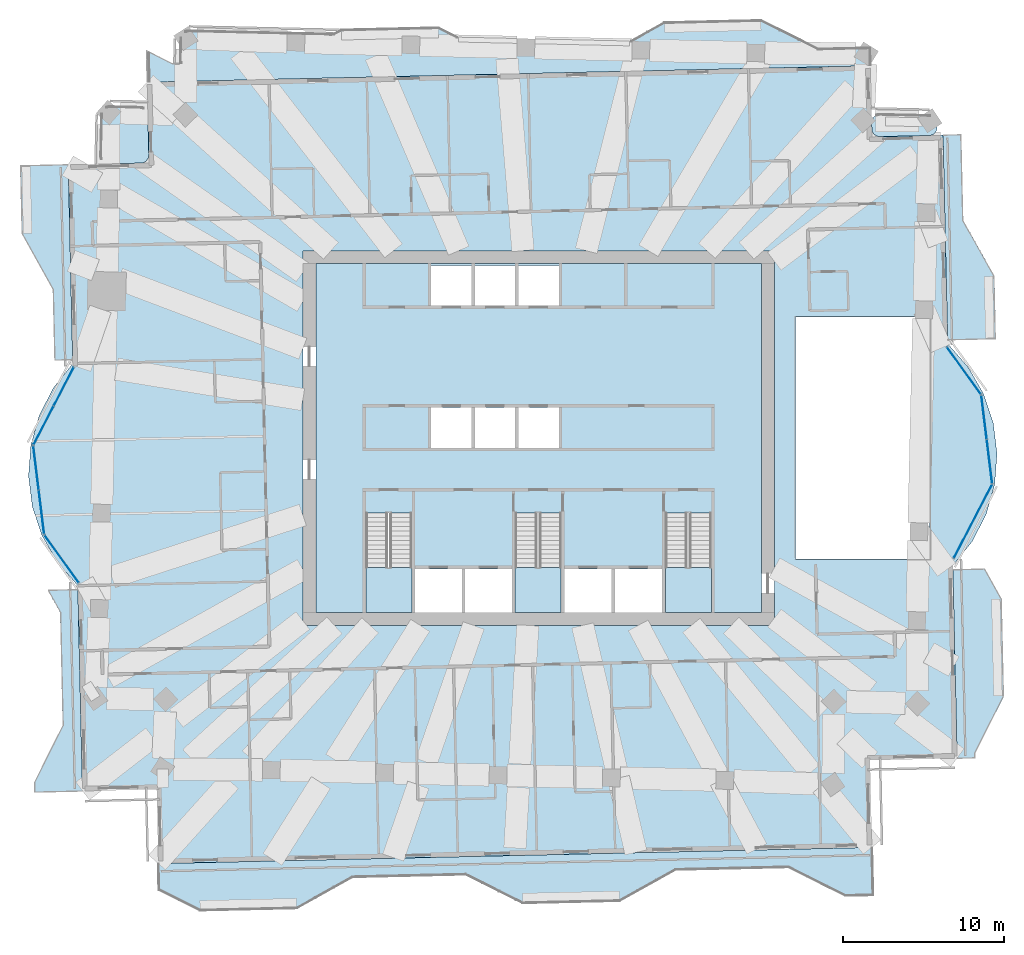
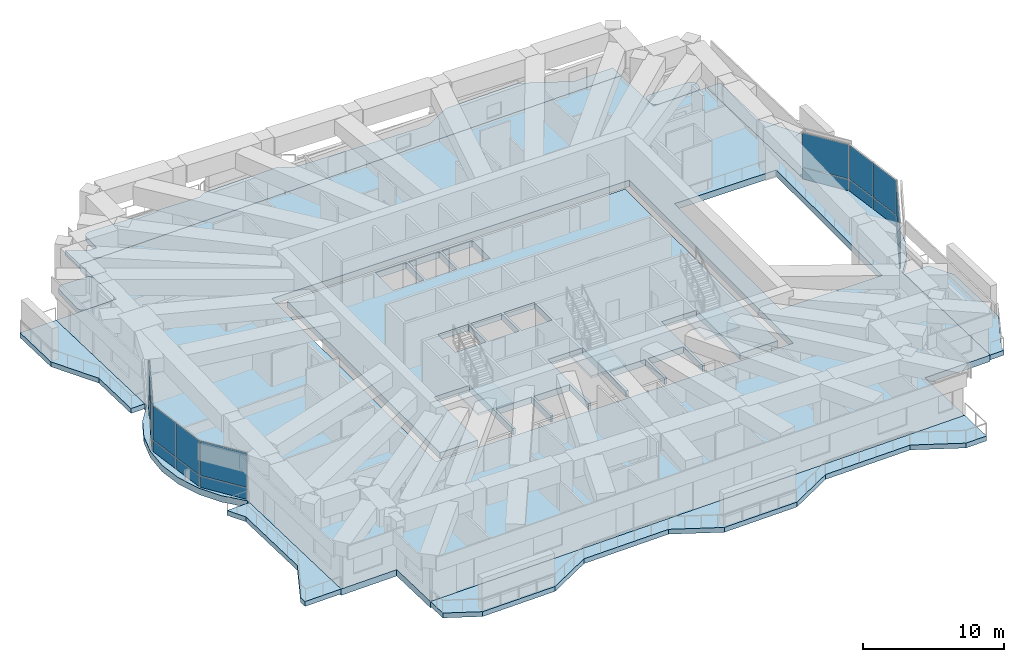
# One storey, part 8 of 19: 18 plates, 13 slabs, 9 elements without a shape of their own.
"""IFC4 building model written with IfcOpenShell, lengths in metres."""

from ifc_helpers import new_model, si_unit, direction, frame, origin, origin_2d, place, context, subcontext, project, spatial, polyline, rectangle, outline, extrude, material, layer, layer_set, type_object, element, aggregate, save


model = new_model("IFC4")

# Units and contexts
model_context = context("Model", 3, precision=1e-05, world=origin(), true_north=direction((0.0, 1.0)))
body_context = subcontext(model_context, "Body", "Model", "MODEL_VIEW")
ifc_project = project(units=[si_unit("LENGTHUNIT", "METRE"), si_unit("AREAUNIT", "SQUARE_METRE"), si_unit("VOLUMEUNIT", "CUBIC_METRE"), si_unit("PLANEANGLEUNIT", "RADIAN"), si_unit("MASSUNIT", "GRAM", prefix="KILO")], contexts=[model_context])

# Site, building, storey
site_placement = place(None, origin())
site = spatial("IfcSite", under=ifc_project, at=site_placement, CompositionType="ELEMENT")
building_placement = place(site_placement, origin())
building = spatial("IfcBuilding", under=site, at=building_placement, Name="Mangrove Gate Tower", CompositionType="ELEMENT")
storey_placement = place(building_placement, frame((0.0, 0.0, 226.5)))
storey = spatial("IfcBuildingStorey", under=building, at=storey_placement, Name="L57", CompositionType="ELEMENT", Elevation=226.5)

# Slabs
ifc_material_1 = material(Name="Porcelain tile")
ifc_layer_1 = layer(ifc_material_1, 0.02001953125, Name="Tile finish")
ifc_material_2 = material(Name="Cement sand screed")
ifc_layer_2 = layer(ifc_material_2, 0.0400390625, Name="Screed laid to falls")
ifc_material_3 = material(Name="Bituminous waterproofing membrane")
ifc_layer_3 = layer(ifc_material_3, 0.00390625, Name="Waterproofing")
ifc_material_4 = material(Name="Concrete C40/50", Category="concrete")
ifc_layer_4 = layer(ifc_material_4, 0.340087890625, Name="Balcony structural slab")
ifc_material_5 = material(Name="Limestone", Category="masonry")
ifc_layer_5 = layer(ifc_material_5, 0.01611328125, Name="Soffit lining")
ifc_layer_set_1 = layer_set([ifc_layer_1, ifc_layer_2, ifc_layer_3, ifc_layer_4, ifc_layer_5], Name="Balcony slab 420 C40/50")
slab_type_1 = type_object("IfcSlabType", Name="Balcony slab 420 C40/50", PredefinedType="FLOOR", material=ifc_layer_set_1)
slab_1_placement = place(storey_placement, frame((0.0, 0.0, -0.419921875)))
element("IfcSlab", 1, at=slab_1_placement, inside=storey, type_object=slab_type_1, Name="BALCONY L57 E0", PredefinedType="FLOOR", context=body_context, shape_type="SweptSolid", body=[
    extrude(outline(polyline([(27.06298828125, -19.803955078125), (27.055908203125, -19.50390625), (28.826904296875, -15.962890625), (28.68994140625, -9.965087890625), (27.656982421875, -8.113037109375), (25.658935546875, -8.158935546875), (25.700927734375, -10.032958984375), (25.8369140625, -16.031005859375), (25.9169921875, -19.530029296875), (25.924072265625, -19.830078125), (27.06298828125, -19.803955078125)])), origin(), (0.0, 0.0, 1.0), 0.419921875),
])
slab_2_placement = place(storey_placement, frame((0.0, 0.0, -0.419921875)))
element("IfcSlab", 2, at=slab_2_placement, inside=storey, type_object=slab_type_1, Name="BALCONY L57 E1", PredefinedType="FLOOR", context=body_context, shape_type="SweptSolid", body=[
    extrude(outline(polyline([(28.324951171875, 6.156005859375), (28.237060546875, 10.030029296875), (26.30810546875, 13.487060546875), (26.18798828125, 18.785888671875), (25.048095703125, 18.760009765625), (25.16796875, 13.4609375), (25.2470703125, 9.9619140625), (25.3349609375, 6.087890625), (28.324951171875, 6.156005859375)])), origin(), (0.0, 0.0, 1.0), 0.419921875),
])
slab_3_placement = place(storey_placement, frame((0.0, 0.0, -0.419921875)))
element("IfcSlab", 3, at=slab_3_placement, inside=storey, type_object=slab_type_1, Name="BALCONY L57 N0", PredefinedType="FLOOR", context=body_context, shape_type="SweptSolid", body=[
    extrude(outline(polyline([(-24.2470703125, 22.0419921875), (20.549072265625, 23.05908203125), (20.52294921875, 24.198974609375), (17.320068359375, 24.1259765625), (13.779052734375, 25.89599609375), (7.781005859375, 25.760009765625), (5.660888671875, 24.576904296875), (5.655029296875, 24.575927734375), (5.64990234375, 24.576904296875), (5.64599609375, 24.5810546875), (5.64404296875, 24.5859375), (5.64501953125, 24.592041015625), (-4.950927734375, 24.83203125), (-4.949951171875, 24.825927734375), (-4.951904296875, 24.821044921875), (-4.9560546875, 24.818115234375), (-4.9619140625, 24.81591796875), (-6.216064453125, 25.44189453125), (-12.214111328125, 25.305908203125), (-12.76904296875, 24.99609375), (-12.77587890625, 24.993896484375), (-12.781005859375, 24.99609375), (-12.784912109375, 24.9990234375), (-12.785888671875, 25.010009765625), (-21.64208984375, 25.2109375), (-21.69189453125, 25.208984375), (-21.739990234375, 25.202880859375), (-21.7880859375, 25.193115234375), (-21.8349609375, 25.177001953125), (-21.8798828125, 25.156982421875), (-21.922119140625, 25.133056640625), (-21.962890625, 25.10400390625), (-21.9990234375, 25.072998046875), (-22.032958984375, 25.037109375), (-22.06298828125, 24.998046875), (-22.089111328125, 24.95703125), (-22.111083984375, 24.9130859375), (-22.12890625, 24.866943359375), (-22.14208984375, 24.820068359375), (-22.14990234375, 24.77099609375), (-22.154052734375, 24.721923828125), (-22.18701171875, 23.2490234375), (-22.18505859375, 23.240966796875), (-22.18701171875, 23.235107421875), (-22.19091796875, 23.23193359375), (-22.672119140625, 23.220947265625), (-24.2919921875, 24.030029296875), (-24.2470703125, 22.0419921875)])), origin(), (0.0, 0.0, 1.0), 0.419921875),
])
slab_4_placement = place(storey_placement, frame((0.0, 0.0, -0.419921875)))
element("IfcSlab", 4, at=slab_4_placement, inside=storey, type_object=slab_type_1, Name="BALCONY L57 W0", PredefinedType="FLOOR", context=body_context, shape_type="SweptSolid", body=[
    extrude(outline(polyline([(-32.1220703125, 16.862060546875), (-32.027099609375, 12.6630859375), (-30.097900390625, 9.2060546875), (-29.998046875, 4.8330078125), (-28.85888671875, 4.85888671875), (-28.9580078125, 9.23193359375), (-29.037109375, 12.73095703125), (-29.133056640625, 16.929931640625), (-32.1220703125, 16.862060546875)])), origin(), (0.0, 0.0, 1.0), 0.419921875),
])
slab_5_placement = place(storey_placement, frame((0.0, 0.0, -0.419921875)))
element("IfcSlab", 5, at=slab_5_placement, inside=storey, type_object=slab_type_1, Name="BALCONY L57 W1", PredefinedType="FLOOR", context=body_context, shape_type="SweptSolid", body=[
    extrude(outline(polyline([(-30.402099609375, -9.430908203125), (-29.64404296875, -10.7890625), (-29.485107421875, -17.787109375), (-31.2548828125, -21.327880859375), (-31.241943359375, -21.927978515625), (-28.251953125, -21.860107421875), (-28.26611328125, -21.260009765625), (-28.344970703125, -17.760986328125), (-28.50390625, -10.762939453125), (-28.534912109375, -9.387939453125), (-30.402099609375, -9.430908203125)])), origin(), (0.0, 0.0, 1.0), 0.419921875),
])
slab_6_placement = place(storey_placement, frame((0.0, 0.0, -0.419921875)))
element("IfcSlab", 6, at=slab_6_placement, inside=storey, type_object=slab_type_1, Name="BALCONY L57 S0", PredefinedType="FLOOR", context=body_context, shape_type="SweptSolid", body=[
    extrude(outline(polyline([(-23.549072265625, -26.35400390625), (-23.510986328125, -28.02001953125), (-20.97802734375, -29.287109375), (-14.97998046875, -29.15087890625), (-11.52197265625, -27.221923828125), (-4.52392578125, -27.06298828125), (-0.98291015625, -28.8330078125), (5.014892578125, -28.697021484375), (8.471923828125, -26.76806640625), (15.470947265625, -26.610107421875), (19.011962890625, -28.37890625), (20.715087890625, -28.341064453125), (20.64697265625, -25.35107421875), (-21.0458984375, -26.298095703125), (-23.549072265625, -26.35400390625)])), origin(), (0.0, 0.0, 1.0), 0.419921875),
])
ifc_material_6 = material(Name="Concrete C40/50", Category="concrete")
ifc_layer_6 = layer(ifc_material_6, 0.550048828125)
ifc_layer_set_2 = layer_set([ifc_layer_6], Name="Core floor slab 550 C40/50")
slab_type_2 = type_object("IfcSlabType", Name="Core floor slab 550 C40/50", PredefinedType="FLOOR", material=ifc_layer_set_2)
slab_7_placement = place(storey_placement, frame((0.0, 0.0, -0.550048828125)))
element("IfcSlab", 7, at=slab_7_placement, inside=storey, type_object=slab_type_2, Name="SLAB-L57-CORE-1", PredefinedType="FLOOR", context=body_context, shape_type="SweptSolid", body=[
    extrude(outline(polyline([(-13.800048828125, -10.800048828125), (-13.800048828125, 10.800048828125), (13.800048828125, 10.800048828125), (13.800048828125, -10.800048828125), (10.699951171875, -10.800048828125), (10.699951171875, -4.653076171875), (7.85009765625, -4.653076171875), (7.85009765625, -10.800048828125), (7.64990234375, -10.800048828125), (7.64990234375, -8.10009765625), (4.72509765625, -8.10009765625), (4.72509765625, -10.800048828125), (4.52490234375, -10.800048828125), (4.52490234375, -8.10009765625), (1.60009765625, -8.10009765625), (1.60009765625, -10.800048828125), (1.39990234375, -10.800048828125), (1.39990234375, -4.653076171875), (-1.449951171875, -4.653076171875), (-1.449951171875, -10.800048828125), (-1.64990234375, -10.800048828125), (-1.64990234375, -8.10009765625), (-4.550048828125, -8.10009765625), (-4.550048828125, -10.800048828125), (-4.75, -10.800048828125), (-4.75, -8.10009765625), (-7.64990234375, -8.10009765625), (-7.64990234375, -10.800048828125), (-7.85009765625, -10.800048828125), (-7.85009765625, -4.653076171875), (-10.699951171875, -4.653076171875), (-10.699951171875, -10.800048828125), (-13.800048828125, -10.800048828125)]), holes=[polyline([(-4.14990234375, 1.89990234375), (-6.64990234375, 1.89990234375), (-6.64990234375, -0.60009765625), (-4.14990234375, -0.60009765625), (-4.14990234375, 1.89990234375)]), polyline([(-1.449951171875, -0.60009765625), (-1.449951171875, 1.89990234375), (-3.949951171875, 1.89990234375), (-3.949951171875, -0.60009765625), (-1.449951171875, -0.60009765625)]), polyline([(-4.14990234375, 8.199951171875), (-4.14990234375, 10.699951171875), (-6.64990234375, 10.699951171875), (-6.64990234375, 8.199951171875), (-4.14990234375, 8.199951171875)]), polyline([(-1.449951171875, 10.699951171875), (-3.949951171875, 10.699951171875), (-3.949951171875, 8.199951171875), (-1.449951171875, 8.199951171875), (-1.449951171875, 10.699951171875)]), polyline([(1.25, -0.60009765625), (1.25, 1.89990234375), (-1.25, 1.89990234375), (-1.25, -0.60009765625), (1.25, -0.60009765625)]), polyline([(1.25, 8.199951171875), (1.25, 10.699951171875), (-1.25, 10.699951171875), (-1.25, 8.199951171875), (1.25, 8.199951171875)])]), origin(), (0.0, 0.0, 1.0), 0.550048828125),
])

# Stair, slab
ifc_material_7 = material(Name="Concrete C40/50", Category="concrete")
stair_type = type_object("IfcStairType", Name="Core stair 1350", PredefinedType="HALF_TURN_STAIR", material=ifc_material_7)
stair_1_placement = place(storey_placement, origin())
stair_1 = element("IfcStair", 8, at=stair_1_placement, inside=storey, type_object=stair_type, Name="L57 Stair 1", PredefinedType="HALF_TURN_STAIR")
ifc_material_8 = material(Name="Concrete C40/50", Category="concrete")
ifc_layer_7 = layer(ifc_material_8, 0.199951171875)
ifc_layer_set_3 = layer_set([ifc_layer_7], Name="Core stair landing 200")
slab_type_3 = type_object("IfcSlabType", Name="Core stair landing 200", PredefinedType="LANDING", material=ifc_layer_set_3)
slab_8_placement = place(storey_placement, frame((0.0, 0.0, 2.10009765625)))
slab_8 = element("IfcSlab", 9, at=slab_8_placement, type_object=slab_type_3, Name="ST1 landing 1", PredefinedType="LANDING", context=body_context, shape_type="SweptSolid", body=[
    extrude(outline(polyline([(-10.699951171875, -8.010009765625), (-10.699951171875, -10.800048828125), (-7.85009765625, -10.800048828125), (-7.85009765625, -8.010009765625), (-10.699951171875, -8.010009765625)])), origin(), (0.0, 0.0, 1.0), 0.199951171875),
])
aggregate(stair_1, [slab_8])

stair_2_placement = place(storey_placement, origin())
stair_2 = element("IfcStair", 10, at=stair_2_placement, inside=storey, type_object=stair_type, Name="L57 Stair 2", PredefinedType="HALF_TURN_STAIR")
slab_9_placement = place(storey_placement, frame((0.0, 0.0, 2.10009765625)))
slab_9 = element("IfcSlab", 11, at=slab_9_placement, type_object=slab_type_3, Name="ST2 landing 1", PredefinedType="LANDING", context=body_context, shape_type="SweptSolid", body=[
    extrude(outline(polyline([(-1.449951171875, -8.010009765625), (-1.449951171875, -10.800048828125), (1.39990234375, -10.800048828125), (1.39990234375, -8.010009765625), (-1.449951171875, -8.010009765625)])), origin(), (0.0, 0.0, 1.0), 0.199951171875),
])
aggregate(stair_2, [slab_9])

stair_3_placement = place(storey_placement, origin())
stair_3 = element("IfcStair", 12, at=stair_3_placement, inside=storey, type_object=stair_type, Name="L57 Stair 3", PredefinedType="HALF_TURN_STAIR")
slab_10_placement = place(storey_placement, frame((0.0, 0.0, 2.10009765625)))
slab_10 = element("IfcSlab", 13, at=slab_10_placement, type_object=slab_type_3, Name="ST3 landing 1", PredefinedType="LANDING", context=body_context, shape_type="SweptSolid", body=[
    extrude(outline(polyline([(7.85009765625, -8.010009765625), (7.85009765625, -10.800048828125), (10.699951171875, -10.800048828125), (10.699951171875, -8.010009765625), (7.85009765625, -8.010009765625)])), origin(), (0.0, 0.0, 1.0), 0.199951171875),
])
aggregate(stair_3, [slab_10])

# Slab
ifc_material_9 = material(Name="Concrete C40/50", Category="concrete")
ifc_layer_8 = layer(ifc_material_9, 0.550048828125)
ifc_layer_set_4 = layer_set([ifc_layer_8], Name="Floor slab 550 C40/50")
slab_type_4 = type_object("IfcSlabType", Name="Floor slab 550 C40/50", PredefinedType="FLOOR", material=ifc_layer_set_4)
slab_11_placement = place(storey_placement, frame((0.0, 0.0, -0.550048828125)))
element("IfcSlab", 14, at=slab_11_placement, inside=storey, type_object=slab_type_4, Name="Floor slab L57", PredefinedType="FLOOR", context=body_context, shape_type="SweptSolid", body=[
    extrude(outline(polyline([(-23.549072265625, -26.354248046875), (20.6474609375, -25.351318359375), (20.52490234375, -19.95263671875), (25.923583984375, -19.830322265625), (25.653076171875, -7.90869140625), (26.849609375, -6.416259765625), (27.7265625, -4.71630859375), (28.2490234375, -2.87646484375), (28.396240234375, -0.96923828125), (28.16259765625, 0.92919921875), (27.55712890625, 2.74365234375), (26.60400390625, 4.40185546875), (25.341064453125, 5.83837890625), (25.0478515625, 18.759765625), (20.64892578125, 18.659912109375), (20.549072265625, 23.058837890625), (-24.247314453125, 22.042236328125), (-24.1337890625, 17.04345703125), (-29.132568359375, 16.93017578125), (-28.85302734375, 4.608642578125), (-30.049560546875, 3.1162109375), (-30.926513671875, 1.41650390625), (-31.448974609375, -0.423583984375), (-31.59619140625, -2.330810546875), (-31.362548828125, -4.229248046875), (-30.757080078125, -6.043701171875), (-29.803955078125, -7.701904296875), (-28.541015625, -9.138427734375), (-28.25244140625, -21.85986328125), (-23.653564453125, -21.755615234375), (-23.549072265625, -26.354248046875)]), holes=[polyline([(15.89990234375, 7.5), (24.22705078125, 7.5), (24.22705078125, -7.5), (15.89990234375, -7.5), (15.89990234375, 7.5)]), polyline([(-14.60009765625, -11.60009765625), (-14.60009765625, 11.60009765625), (14.60009765625, 11.60009765625), (14.60009765625, -11.60009765625), (-14.60009765625, -11.60009765625)])]), origin(), (0.0, 0.0, 1.0), 0.550048828125),
])

# Curtain wall, plates
ifc_material_10 = material(Name="Aluminium and glass curtain wall", Category="aluminium")
curtain_wall_type = type_object("IfcCurtainWallType", Name="Sky-lounge glazing wall", PredefinedType="NOTDEFINED", material=ifc_material_10)
curtain_wall_1_placement = place(storey_placement, origin())
curtain_wall_1 = element("IfcCurtainWall", 15, at=curtain_wall_1_placement, inside=storey, type_object=curtain_wall_type, Name="Sky-lounge glazing E1f1", PredefinedType="NOTDEFINED")
ifc_material_11 = material(Name="Laminated low-e glass", Category="glass")
ifc_layer_9 = layer(ifc_material_11, 0.030029296875)
ifc_layer_set_5 = layer_set([ifc_layer_9], Name="Sky-lounge glazing panel 30")
plate_type = type_object("IfcPlateType", Name="Sky-lounge glazing panel 30", PredefinedType="CURTAIN_PANEL", material=ifc_layer_set_5)
plate_1_placement = place(storey_placement, frame((26.89892578125, -5.1650390625, 0.0), z_axis=(0.0, 0.0, 1.0), x_axis=(0.460809463705, 0.88749909192, 0.0)))
plate_1 = element("IfcPlate", 16, at=plate_1_placement, type_object=plate_type, Name="CWK panel 1.1", PredefinedType="CURTAIN_PANEL", context=body_context, shape_type="SweptSolid", body=[
    extrude(rectangle(XDim=5.096923828125, YDim=0.030029296875, at=origin_2d()), origin(), (0.0, 0.0, 1.0), 0.969970703125),
])
plate_2_placement = place(storey_placement, frame((26.89892578125, -5.1650390625, 1.030029296875), z_axis=(0.0, 0.0, 1.0), x_axis=(0.460809463705, 0.88749909192, 0.0)))
plate_2 = element("IfcPlate", 17, at=plate_2_placement, type_object=plate_type, Name="CWK panel 1.2", PredefinedType="CURTAIN_PANEL", context=body_context, shape_type="SweptSolid", body=[
    extrude(rectangle(XDim=5.096923828125, YDim=0.030029296875, at=origin_2d()), origin(), (0.0, 0.0, 1.0), 2.9599609375),
])
aggregate(curtain_wall_1, [plate_1, plate_2])

curtain_wall_2_placement = place(storey_placement, origin())
curtain_wall_2 = element("IfcCurtainWall", 18, at=curtain_wall_2_placement, inside=storey, type_object=curtain_wall_type, Name="Sky-lounge glazing E1f2", PredefinedType="NOTDEFINED")
plate_3_placement = place(storey_placement, frame((27.928466796875, -1.4521484375, 0.0), z_axis=(0.0, 0.0, 1.0), x_axis=(-0.122172285885, 0.992508908051, 0.0)))
plate_3 = element("IfcPlate", 19, at=plate_3_placement, type_object=plate_type, Name="CWK panel 1.1", PredefinedType="CURTAIN_PANEL", context=body_context, shape_type="SweptSolid", body=[
    extrude(rectangle(XDim=2.69677734375, YDim=0.030029296875, at=origin_2d()), origin(), (0.0, 0.0, 1.0), 0.969970703125),
])
plate_4_placement = place(storey_placement, frame((27.928466796875, -1.4521484375, 1.030029296875), z_axis=(0.0, 0.0, 1.0), x_axis=(-0.122172285885, 0.992508908051, 0.0)))
plate_4 = element("IfcPlate", 20, at=plate_4_placement, type_object=plate_type, Name="CWK panel 1.2", PredefinedType="CURTAIN_PANEL", context=body_context, shape_type="SweptSolid", body=[
    extrude(rectangle(XDim=2.69677734375, YDim=0.030029296875, at=origin_2d()), origin(), (0.0, 0.0, 1.0), 2.9599609375),
])
plate_5_placement = place(storey_placement, frame((27.591796875, 1.283935546875, 0.0), z_axis=(0.0, 0.0, 1.0), x_axis=(-0.122172285885, 0.992508908051, 0.0)))
plate_5 = element("IfcPlate", 21, at=plate_5_placement, type_object=plate_type, Name="CWK panel 2.1", PredefinedType="CURTAIN_PANEL", context=body_context, shape_type="SweptSolid", body=[
    extrude(rectangle(XDim=2.69677734375, YDim=0.030029296875, at=origin_2d()), origin(), (0.0, 0.0, 1.0), 0.969970703125),
])
plate_6_placement = place(storey_placement, frame((27.591796875, 1.283935546875, 1.030029296875), z_axis=(0.0, 0.0, 1.0), x_axis=(-0.122172285885, 0.992508908051, 0.0)))
plate_6 = element("IfcPlate", 22, at=plate_6_placement, type_object=plate_type, Name="CWK panel 2.2", PredefinedType="CURTAIN_PANEL", context=body_context, shape_type="SweptSolid", body=[
    extrude(rectangle(XDim=2.69677734375, YDim=0.030029296875, at=origin_2d()), origin(), (0.0, 0.0, 1.0), 2.9599609375),
])
aggregate(curtain_wall_2, [plate_3, plate_4, plate_5, plate_6])

curtain_wall_3_placement = place(storey_placement, origin())
curtain_wall_3 = element("IfcCurtainWall", 23, at=curtain_wall_3_placement, inside=storey, type_object=curtain_wall_type, Name="Sky-lounge glazing E1f3", PredefinedType="NOTDEFINED")
plate_7_placement = place(storey_placement, frame((26.347412109375, 4.173583984375, 0.0), z_axis=(0.0, 0.0, 1.0), x_axis=(-0.583809888654, 0.811890395256, 0.0)))
plate_7 = element("IfcPlate", 24, at=plate_7_placement, type_object=plate_type, Name="CWK panel 1.1", PredefinedType="CURTAIN_PANEL", context=body_context, shape_type="SweptSolid", body=[
    extrude(rectangle(XDim=3.55419921875, YDim=0.030029296875, at=origin_2d()), origin(), (0.0, 0.0, 1.0), 0.969970703125),
])
plate_8_placement = place(storey_placement, frame((26.347412109375, 4.173583984375, 1.030029296875), z_axis=(0.0, 0.0, 1.0), x_axis=(-0.583809888654, 0.811890395256, 0.0)))
plate_8 = element("IfcPlate", 25, at=plate_8_placement, type_object=plate_type, Name="CWK panel 1.2", PredefinedType="CURTAIN_PANEL", context=body_context, shape_type="SweptSolid", body=[
    extrude(rectangle(XDim=3.55419921875, YDim=0.030029296875, at=origin_2d()), origin(), (0.0, 0.0, 1.0), 2.9599609375),
])
aggregate(curtain_wall_3, [plate_7, plate_8])

curtain_wall_4_placement = place(storey_placement, origin())
curtain_wall_4 = element("IfcCurtainWall", 26, at=curtain_wall_4_placement, inside=storey, type_object=curtain_wall_type, Name="Sky-lounge glazing W9f1", PredefinedType="NOTDEFINED")
plate_9_placement = place(storey_placement, frame((-29.410400390625, 3.19140625, 0.0), z_axis=(0.0, 0.0, 1.0), x_axis=(-0.460784924478, -0.887511832808, 0.0)))
plate_9 = element("IfcPlate", 27, at=plate_9_placement, type_object=plate_type, Name="CWK panel 1.1", PredefinedType="CURTAIN_PANEL", context=body_context, shape_type="SweptSolid", body=[
    extrude(rectangle(XDim=2.6552734375, YDim=0.030029296875, at=origin_2d()), origin(), (0.0, 0.0, 1.0), 0.969970703125),
])
plate_10_placement = place(storey_placement, frame((-29.410400390625, 3.19140625, 1.030029296875), z_axis=(0.0, 0.0, 1.0), x_axis=(-0.460784924478, -0.887511832808, 0.0)))
plate_10 = element("IfcPlate", 28, at=plate_10_placement, type_object=plate_type, Name="CWK panel 1.2", PredefinedType="CURTAIN_PANEL", context=body_context, shape_type="SweptSolid", body=[
    extrude(rectangle(XDim=2.6552734375, YDim=0.030029296875, at=origin_2d()), origin(), (0.0, 0.0, 1.0), 2.9599609375),
])
plate_11_placement = place(storey_placement, frame((-30.66162109375, 0.781494140625, 0.0), z_axis=(0.0, 0.0, 1.0), x_axis=(-0.460784924478, -0.887511832808, 0.0)))
plate_11 = element("IfcPlate", 29, at=plate_11_placement, type_object=plate_type, Name="CWK panel 2.1", PredefinedType="CURTAIN_PANEL", context=body_context, shape_type="SweptSolid", body=[
    extrude(rectangle(XDim=2.6552734375, YDim=0.030029296875, at=origin_2d()), origin(), (0.0, 0.0, 1.0), 0.969970703125),
])
plate_12_placement = place(storey_placement, frame((-30.66162109375, 0.781494140625, 1.030029296875), z_axis=(0.0, 0.0, 1.0), x_axis=(-0.460784924478, -0.887511832808, 0.0)))
plate_12 = element("IfcPlate", 30, at=plate_12_placement, type_object=plate_type, Name="CWK panel 2.2", PredefinedType="CURTAIN_PANEL", context=body_context, shape_type="SweptSolid", body=[
    extrude(rectangle(XDim=2.6552734375, YDim=0.030029296875, at=origin_2d()), origin(), (0.0, 0.0, 1.0), 2.9599609375),
])
aggregate(curtain_wall_4, [plate_9, plate_10, plate_11, plate_12])

curtain_wall_5_placement = place(storey_placement, origin())
curtain_wall_5 = element("IfcCurtainWall", 31, at=curtain_wall_5_placement, inside=storey, type_object=curtain_wall_type, Name="Sky-lounge glazing W9f2", PredefinedType="NOTDEFINED")
plate_13_placement = place(storey_placement, frame((-31.12841796875, -1.847900390625, 0.0), z_axis=(0.0, 0.0, 1.0), x_axis=(0.122172285885, -0.992508908051, 0.0)))
plate_13 = element("IfcPlate", 32, at=plate_13_placement, type_object=plate_type, Name="CWK panel 1.1", PredefinedType="CURTAIN_PANEL", context=body_context, shape_type="SweptSolid", body=[
    extrude(rectangle(XDim=2.69677734375, YDim=0.030029296875, at=origin_2d()), origin(), (0.0, 0.0, 1.0), 0.969970703125),
])
plate_14_placement = place(storey_placement, frame((-31.12841796875, -1.847900390625, 1.030029296875), z_axis=(0.0, 0.0, 1.0), x_axis=(0.122172285885, -0.992508908051, 0.0)))
plate_14 = element("IfcPlate", 33, at=plate_14_placement, type_object=plate_type, Name="CWK panel 1.2", PredefinedType="CURTAIN_PANEL", context=body_context, shape_type="SweptSolid", body=[
    extrude(rectangle(XDim=2.69677734375, YDim=0.030029296875, at=origin_2d()), origin(), (0.0, 0.0, 1.0), 2.9599609375),
])
plate_15_placement = place(storey_placement, frame((-30.791748046875, -4.583984375, 0.0), z_axis=(0.0, 0.0, 1.0), x_axis=(0.122172285885, -0.992508908051, 0.0)))
plate_15 = element("IfcPlate", 34, at=plate_15_placement, type_object=plate_type, Name="CWK panel 2.1", PredefinedType="CURTAIN_PANEL", context=body_context, shape_type="SweptSolid", body=[
    extrude(rectangle(XDim=2.69677734375, YDim=0.030029296875, at=origin_2d()), origin(), (0.0, 0.0, 1.0), 0.969970703125),
])
plate_16_placement = place(storey_placement, frame((-30.791748046875, -4.583984375, 1.030029296875), z_axis=(0.0, 0.0, 1.0), x_axis=(0.122172285885, -0.992508908051, 0.0)))
plate_16 = element("IfcPlate", 35, at=plate_16_placement, type_object=plate_type, Name="CWK panel 2.2", PredefinedType="CURTAIN_PANEL", context=body_context, shape_type="SweptSolid", body=[
    extrude(rectangle(XDim=2.69677734375, YDim=0.030029296875, at=origin_2d()), origin(), (0.0, 0.0, 1.0), 2.9599609375),
])
aggregate(curtain_wall_5, [plate_13, plate_14, plate_15, plate_16])

curtain_wall_6_placement = place(storey_placement, origin())
curtain_wall_6 = element("IfcCurtainWall", 36, at=curtain_wall_6_placement, inside=storey, type_object=curtain_wall_type, Name="Sky-lounge glazing W9f3", PredefinedType="NOTDEFINED")
plate_17_placement = place(storey_placement, frame((-29.5380859375, -7.487060546875, 0.0), z_axis=(0.0, 0.0, 1.0), x_axis=(0.583736092156, -0.811943455368, 0.0)))
plate_17 = element("IfcPlate", 37, at=plate_17_placement, type_object=plate_type, Name="CWK panel 1.1", PredefinedType="CURTAIN_PANEL", context=body_context, shape_type="SweptSolid", body=[
    extrude(rectangle(XDim=3.587158203125, YDim=0.030029296875, at=origin_2d()), origin(), (0.0, 0.0, 1.0), 0.969970703125),
])
plate_18_placement = place(storey_placement, frame((-29.5380859375, -7.487060546875, 1.030029296875), z_axis=(0.0, 0.0, 1.0), x_axis=(0.583736092156, -0.811943455368, 0.0)))
plate_18 = element("IfcPlate", 38, at=plate_18_placement, type_object=plate_type, Name="CWK panel 1.2", PredefinedType="CURTAIN_PANEL", context=body_context, shape_type="SweptSolid", body=[
    extrude(rectangle(XDim=3.587158203125, YDim=0.030029296875, at=origin_2d()), origin(), (0.0, 0.0, 1.0), 2.9599609375),
])
aggregate(curtain_wall_6, [plate_17, plate_18])

# Slabs
ifc_material_12 = material(Name="Granite", Category="masonry")
ifc_layer_10 = layer(ifc_material_12, 0.030029296875, Name="Granite paving")
ifc_layer_11 = layer(ifc_material_2, 0.0400390625, Name="Bedding screed")
ifc_layer_12 = layer(ifc_material_3, 0.0048828125, Name="Waterproofing")
ifc_material_13 = material(Name="Extruded polystyrene insulation")
ifc_layer_13 = layer(ifc_material_13, 0.0400390625, Name="Insulation")
ifc_layer_14 = layer(ifc_material_4, 0.304931640625, Name="Terrace structural slab")
ifc_layer_set_6 = layer_set([ifc_layer_10, ifc_layer_11, ifc_layer_12, ifc_layer_13, ifc_layer_14], Name="Terrace slab C40/50")
slab_type_5 = type_object("IfcSlabType", Name="Terrace slab C40/50", PredefinedType="FLOOR", material=ifc_layer_set_6)
slab_12_placement = place(storey_placement, frame((0.0, 0.0, -0.419921875)))
element("IfcSlab", 39, at=slab_12_placement, inside=storey, type_object=slab_type_5, Name="TERRACE L57 1", PredefinedType="FLOOR", context=body_context, shape_type="SweptSolid", body=[
    extrude(outline(polyline([(24.194091796875, 19.969970703125), (21.139892578125, 20.0390625), (21.090087890625, 20.037109375), (21.0400390625, 20.031005859375), (20.990966796875, 20.01904296875), (20.943115234375, 20.0029296875), (20.89697265625, 19.98193359375), (20.85400390625, 19.9560546875), (20.81298828125, 19.926025390625), (20.77587890625, 19.89208984375), (20.741943359375, 19.85498046875), (20.7119140625, 19.81396484375), (20.68603515625, 19.77099609375), (20.6650390625, 19.72509765625), (20.64892578125, 19.677001953125), (20.636962890625, 19.6279296875), (20.631103515625, 19.577880859375), (20.62890625, 19.528076171875), (20.637939453125, 19.159912109375), (20.64111328125, 19.111083984375), (20.64892578125, 19.06298828125), (20.662109375, 19.014892578125), (20.679931640625, 18.968994140625), (20.701904296875, 18.926025390625), (20.72802734375, 18.884033203125), (20.758056640625, 18.844970703125), (20.7919921875, 18.81005859375), (20.8291015625, 18.778076171875), (20.868896484375, 18.7490234375), (20.912109375, 18.72509765625), (20.95703125, 18.705078125), (21.0029296875, 18.68994140625), (21.051025390625, 18.678955078125), (21.10009765625, 18.673095703125), (21.14892578125, 18.6708984375), (24.18896484375, 18.739990234375), (24.237060546875, 18.743896484375), (24.283935546875, 18.751953125), (24.330078125, 18.763916015625), (24.3740234375, 18.780029296875), (24.4169921875, 18.801025390625), (24.4580078125, 18.825927734375), (24.49609375, 18.85498046875), (24.531005859375, 18.886962890625), (24.56298828125, 18.922119140625), (24.592041015625, 18.9599609375), (24.616943359375, 19.0009765625), (24.636962890625, 19.0439453125), (24.654052734375, 19.087890625), (24.666015625, 19.134033203125), (24.674072265625, 19.180908203125), (24.677978515625, 19.22900390625), (24.68310546875, 19.4580078125), (24.680908203125, 19.507080078125), (24.675048828125, 19.555908203125), (24.6650390625, 19.60400390625), (24.64892578125, 19.64990234375), (24.62890625, 19.695068359375), (24.60498046875, 19.738037109375), (24.576904296875, 19.778076171875), (24.5439453125, 19.81494140625), (24.509033203125, 19.84912109375), (24.469970703125, 19.87890625), (24.428955078125, 19.905029296875), (24.385009765625, 19.927001953125), (24.339111328125, 19.945068359375), (24.2919921875, 19.9580078125), (24.242919921875, 19.966064453125), (24.194091796875, 19.969970703125)])), origin(), (0.0, 0.0, 1.0), 0.419921875),
])
slab_13_placement = place(storey_placement, frame((0.0, 0.0, -0.419921875)))
element("IfcSlab", 40, at=slab_13_placement, inside=storey, type_object=slab_type_5, Name="TERRACE L57 4", PredefinedType="FLOOR", context=body_context, shape_type="SweptSolid", body=[
    extrude(outline(polyline([(-27.06201171875, 20.031982421875), (-27.118896484375, 17.4990234375), (-27.117919921875, 17.447998046875), (-27.111083984375, 17.39794921875), (-27.10009765625, 17.34912109375), (-27.0830078125, 17.301025390625), (-27.06201171875, 17.2548828125), (-27.035888671875, 17.2119140625), (-27.007080078125, 17.1708984375), (-26.972900390625, 17.134033203125), (-26.93505859375, 17.10009765625), (-26.89501953125, 17.070068359375), (-26.85107421875, 17.0439453125), (-26.804931640625, 17.02294921875), (-26.757080078125, 17.007080078125), (-26.7080078125, 16.9951171875), (-26.657958984375, 16.989013671875), (-26.60791015625, 16.987060546875), (-24.634033203125, 17.031982421875), (-24.5849609375, 17.035888671875), (-24.535888671875, 17.0439453125), (-24.489013671875, 17.056884765625), (-24.443115234375, 17.074951171875), (-24.39892578125, 17.096923828125), (-24.35791015625, 17.123046875), (-24.319091796875, 17.153076171875), (-24.283935546875, 17.18701171875), (-24.251953125, 17.22412109375), (-24.222900390625, 17.263916015625), (-24.198974609375, 17.305908203125), (-24.178955078125, 17.35107421875), (-24.1630859375, 17.39794921875), (-24.153076171875, 17.446044921875), (-24.14697265625, 17.493896484375), (-24.14501953125, 17.54296875), (-24.200927734375, 19.989990234375), (-24.2041015625, 20.0380859375), (-24.2119140625, 20.0849609375), (-24.22412109375, 20.131103515625), (-24.240966796875, 20.175048828125), (-24.261962890625, 20.218017578125), (-24.285888671875, 20.259033203125), (-24.31494140625, 20.297119140625), (-24.346923828125, 20.33203125), (-24.382080078125, 20.364013671875), (-24.4208984375, 20.39306640625), (-24.4609375, 20.41796875), (-24.50390625, 20.43896484375), (-24.549072265625, 20.455078125), (-24.594970703125, 20.467041015625), (-24.64208984375, 20.47509765625), (-24.68896484375, 20.47900390625), (-26.550048828125, 20.52099609375), (-26.59912109375, 20.52001953125), (-26.64794921875, 20.513916015625), (-26.696044921875, 20.5029296875), (-26.741943359375, 20.487060546875), (-26.787109375, 20.467041015625), (-26.830078125, 20.443115234375), (-26.8701171875, 20.4150390625), (-26.906982421875, 20.383056640625), (-26.94091796875, 20.346923828125), (-26.970947265625, 20.30810546875), (-26.9970703125, 20.26708984375), (-27.01904296875, 20.222900390625), (-27.037109375, 20.177001953125), (-27.050048828125, 20.1298828125), (-27.05810546875, 20.0810546875), (-27.06201171875, 20.031982421875)])), origin(), (0.0, 0.0, 1.0), 0.419921875),
])

save(model, "model.ifc")
